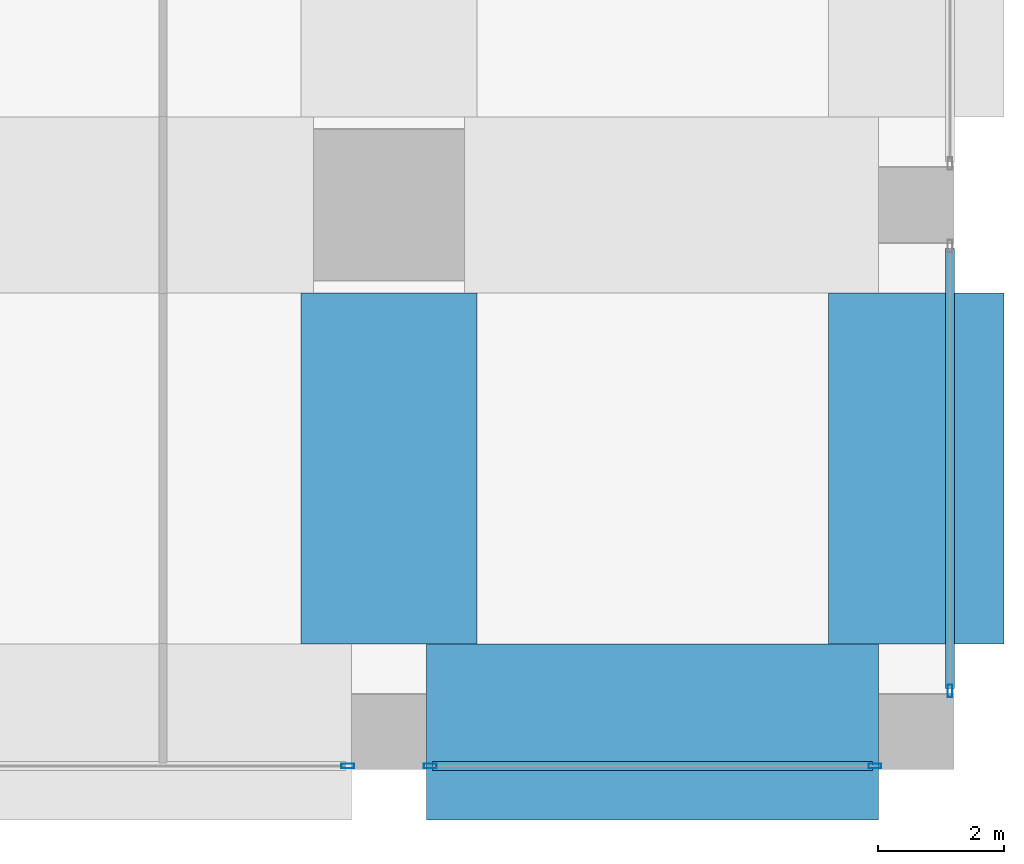
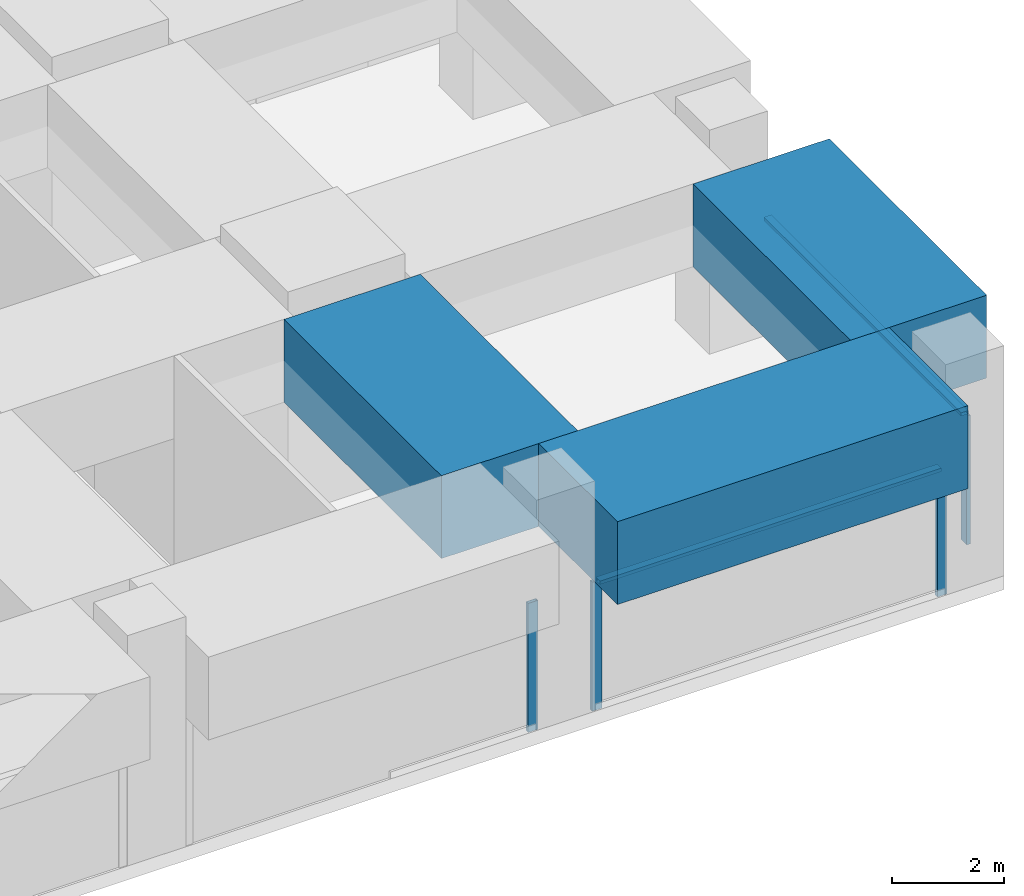
# One storey, part 30 of 52: 6 members, 3 beams, 3 elements without a shape of their own.
"""IFC4 building model written with IfcOpenShell, lengths in metres."""

from ifc_helpers import new_model, si_unit, direction, frame, origin, origin_2d, place, context, subcontext, project, spatial, rectangle, hollow_rectangle, extrude, material, material_profile, profile_set, type_object, element, aggregate, save


model = new_model("IFC4")

# Units and contexts
model_context = context("Model", 3, precision=1e-05, world=origin(), true_north=direction((0.0, 1.0)))
body_context = subcontext(model_context, "Body", "Model", "MODEL_VIEW")
ifc_project = project(units=[si_unit("LENGTHUNIT", "METRE"), si_unit("AREAUNIT", "SQUARE_METRE"), si_unit("VOLUMEUNIT", "CUBIC_METRE"), si_unit("PLANEANGLEUNIT", "RADIAN"), si_unit("MASSUNIT", "GRAM", prefix="KILO")], contexts=[model_context])

# Site, building, storey
site_placement = place(None, origin())
site = spatial("IfcSite", under=ifc_project, at=site_placement, CompositionType="ELEMENT")
building_placement = place(site_placement, origin())
building = spatial("IfcBuilding", under=site, at=building_placement, Name="Rekha Terrace Tower", CompositionType="ELEMENT")
storey_placement = place(building_placement, frame((0.0, 0.0, 20.39990234375)))
storey = spatial("IfcBuildingStorey", under=building, at=storey_placement, Name="L04", CompositionType="ELEMENT", Elevation=20.39990234375)

# Curtain wall, member
ifc_material_1 = material(Name="Aluminium framing", Category="aluminium")
curtain_wall_type = type_object("IfcCurtainWallType", Name="CW4 podium shopfront glazing", PredefinedType="USERDEFINED", material=ifc_material_1)
curtain_wall_1_placement = place(storey_placement, origin())
curtain_wall_1 = element("IfcCurtainWall", 1, at=curtain_wall_1_placement, inside=storey, type_object=curtain_wall_type, Name="CW4 shopfront curtain wall", ObjectType="SHOPFRONT CURTAIN WALL", PredefinedType="USERDEFINED")
ifc_material_2 = material(Name="Aluminium mullion section", Category="aluminium")
ifc_material_profile_1 = material_profile(ifc_material_2, hollow_rectangle(XDim=0.074951171875, YDim=0.199951171875, WallThickness=0.00390625, at=origin_2d()), Name="AL RHS 75x200")
ifc_profile_set_1 = profile_set([ifc_material_profile_1], Name="Aluminium mullion section")
member_type_1 = type_object("IfcMemberType", Name="CW4 mullion RHS 75 x 200", PredefinedType="MULLION", material=ifc_profile_set_1)
member_1_placement = place(storey_placement, frame((66.54248046875, -0.5400390625, 0.0), z_axis=(0.0, 0.0, 1.0), x_axis=(0.0, 1.0, 0.0)))
member_1 = element("IfcMember", 2, at=member_1_placement, type_object=member_type_1, Name="CW4 mullion 2", PredefinedType="MULLION", context=body_context, shape_type="SweptSolid", body=[
    extrude(hollow_rectangle(XDim=0.074951171875, YDim=0.199951171875, WallThickness=0.00390625, at=origin_2d()), origin(), (0.0, 0.0, 1.0), 2.800048828125),
])
aggregate(curtain_wall_1, [member_1])

# Curtain wall, members
curtain_wall_2_placement = place(storey_placement, origin())
curtain_wall_2 = element("IfcCurtainWall", 3, at=curtain_wall_2_placement, inside=storey, type_object=curtain_wall_type, Name="CW4 shopfront curtain wall", ObjectType="SHOPFRONT CURTAIN WALL", PredefinedType="USERDEFINED")
member_2_placement = place(storey_placement, frame((67.857421875, -0.5400390625, 0.0), z_axis=(0.0, 0.0, 1.0), x_axis=(0.0, 1.0, 0.0)))
member_2 = element("IfcMember", 4, at=member_2_placement, type_object=member_type_1, Name="CW4 mullion 1", PredefinedType="MULLION", context=body_context, shape_type="SweptSolid", body=[
    extrude(hollow_rectangle(XDim=0.074951171875, YDim=0.199951171875, WallThickness=0.00390625, at=origin_2d()), origin(), (0.0, 0.0, 1.0), 2.800048828125),
])
member_3_placement = place(storey_placement, frame((74.9423828125, -0.5400390625, 0.0), z_axis=(0.0, 0.0, 1.0), x_axis=(0.0, 1.0, 0.0)))
member_3 = element("IfcMember", 5, at=member_3_placement, type_object=member_type_1, Name="CW4 mullion 2", PredefinedType="MULLION", context=body_context, shape_type="SweptSolid", body=[
    extrude(hollow_rectangle(XDim=0.074951171875, YDim=0.199951171875, WallThickness=0.00390625, at=origin_2d()), origin(), (0.0, 0.0, 1.0), 2.800048828125),
])

# Curtain wall, member
curtain_wall_3_placement = place(storey_placement, origin())
curtain_wall_3 = element("IfcCurtainWall", 6, at=curtain_wall_3_placement, inside=storey, type_object=curtain_wall_type, Name="CW4 shopfront curtain wall", ObjectType="SHOPFRONT CURTAIN WALL", PredefinedType="USERDEFINED")
member_4_placement = place(storey_placement, frame((76.139892578125, 0.657470703125, 0.0), z_axis=(0.0, 0.0, 1.0), x_axis=(-1.0, 0.0, 0.0)))
member_4 = element("IfcMember", 7, at=member_4_placement, type_object=member_type_1, Name="CW4 mullion 1", PredefinedType="MULLION", context=body_context, shape_type="SweptSolid", body=[
    extrude(hollow_rectangle(XDim=0.074951171875, YDim=0.199951171875, WallThickness=0.00390625, at=origin_2d()), origin(), (0.0, 0.0, 1.0), 2.800048828125),
])

# Member
ifc_material_3 = material(Name="Aluminium transom section", Category="aluminium")
ifc_material_profile_2 = material_profile(ifc_material_3, hollow_rectangle(XDim=0.14990234375, YDim=0.074951171875, WallThickness=0.0029296875, at=origin_2d()), Name="AL RHS 150x75")
ifc_profile_set_2 = profile_set([ifc_material_profile_2], Name="Aluminium transom section")
member_type_2 = type_object("IfcMemberType", Name="CW4 transom RHS 75 x 150", PredefinedType="USERDEFINED", material=ifc_profile_set_2)
member_5_placement = place(storey_placement, frame((67.89501953125, -0.5400390625, 2.7626953125), z_axis=(1.0, 0.0, 0.0), x_axis=(0.0, 1.0, 0.0)))
member_5 = element("IfcMember", 8, at=member_5_placement, type_object=member_type_2, Name="CW4 transom 1.2", ObjectType="TRANSOM", PredefinedType="USERDEFINED", context=body_context, shape_type="SweptSolid", body=[
    extrude(hollow_rectangle(XDim=0.14990234375, YDim=0.074951171875, WallThickness=0.0029296875, at=origin_2d()), origin(), (0.0, 0.0, 1.0), 7.010009765625),
])

aggregate(curtain_wall_2, [member_2, member_3, member_5])

member_6_placement = place(storey_placement, frame((76.139892578125, 0.695068359375, 2.7626953125), z_axis=(0.0, 1.0, 0.0), x_axis=(-1.0, 0.0, 0.0)))
member_6 = element("IfcMember", 9, at=member_6_placement, type_object=member_type_2, Name="CW4 transom 1.2", ObjectType="TRANSOM", PredefinedType="USERDEFINED", context=body_context, shape_type="SweptSolid", body=[
    extrude(hollow_rectangle(XDim=0.14990234375, YDim=0.074951171875, WallThickness=0.0029296875, at=origin_2d()), origin(), (0.0, 0.0, 1.0), 7.010009765625),
])

aggregate(curtain_wall_3, [member_4, member_6])

# Beams
ifc_material_4 = material(Name="Concrete M70", Category="concrete")
ifc_material_profile_3 = material_profile(ifc_material_4, rectangle(XDim=2.800048828125, YDim=1.800048828125, at=origin_2d()), Name="RC 2800x1800")
ifc_profile_set_3 = profile_set([ifc_material_profile_3], Name="Concrete M70")
beam_type = type_object("IfcBeamType", Name="G2 2800x1800 podium roof band beam", PredefinedType="BEAM", material=ifc_profile_set_3)
beam_placement = place(storey_placement, frame((67.800048828125, 0.0, 3.7001953125), z_axis=(1.0, 0.0, 0.0), x_axis=(0.0, 1.0, 0.0)))
element("IfcBeam", 10, at=beam_placement, inside=storey, type_object=beam_type, Name="Beam G2 9A-10A under L05", PredefinedType="BEAM", context=body_context, shape_type="SweptSolid", body=[
    extrude(rectangle(XDim=2.800048828125, YDim=1.800048828125, at=origin_2d()), origin(), (0.0, 0.0, 1.0), 7.199951171875),
])
for number, where, z_axis, x_axis, name in (
    (11, (67.199951171875, 1.39990234375, 3.7001953125), (0.0, 1.0, 0.0), (-1.0, 0.0, 0.0), "Beam G2 9A-9B under L05"),
    (12, (75.60009765625, 1.39990234375, 3.7001953125), (0.0, 1.0, 0.0), (-1.0, 0.0, 0.0), "Beam G2 10A-10B under L05"),
):
    element("IfcBeam", number, at=place(storey_placement, frame(where, z_axis=z_axis, x_axis=x_axis)), inside=storey, type_object=beam_type, Name=name, PredefinedType="BEAM", context=body_context, shape_type="SweptSolid", body=[
        extrude(rectangle(XDim=2.800048828125, YDim=1.800048828125, at=origin_2d()), origin(), (0.0, 0.0, 1.0), 5.60009765625),
    ])

save(model, "model.ifc")
